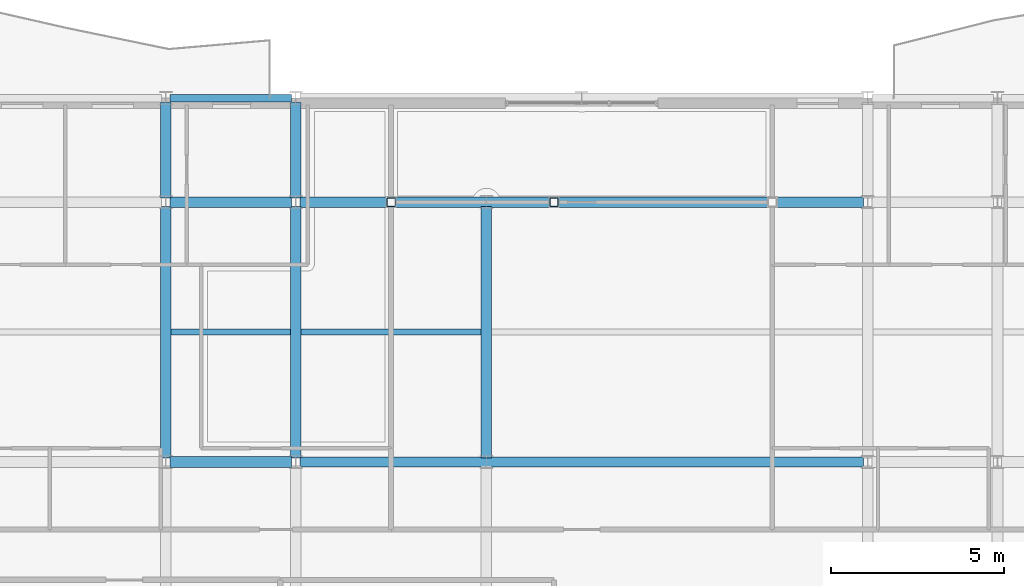
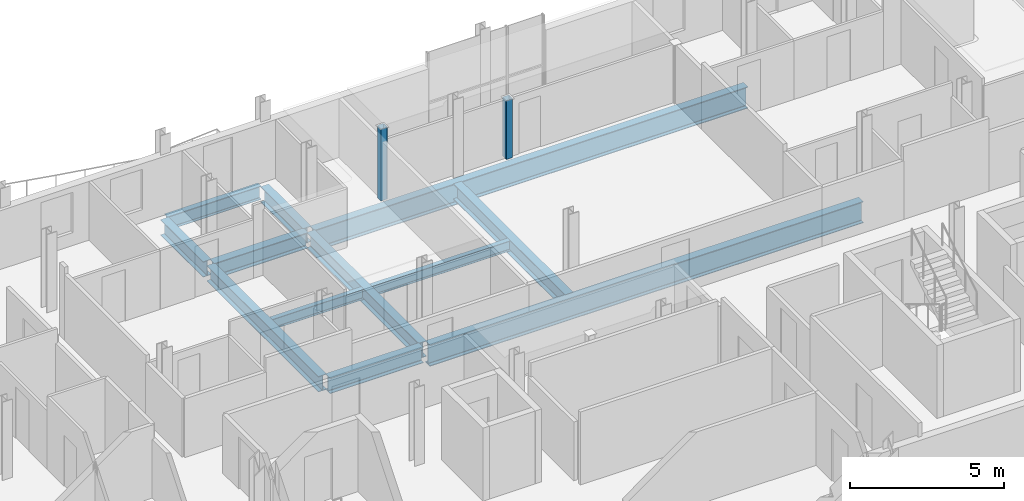
# One storey, part 9 of 35: 12 beams, 2 members.
"""IFC4 building model written with IfcOpenShell, lengths in metres."""

import ifcopenshell
import ifcopenshell.guid

model = None  # the IFC model being written
_history = None  # IfcOwnerHistory: only IFC2X3 demands one
_inside = {}  # id of a spatial element -> (the spatial element, [elements in it])
_under = {}  # id of a project, library or spatial element -> (it, [spatial elements below it])
_declared = {}  # id of a project -> (the project, [libraries it declares])
_typed = {}  # id of a type object -> (the type object, [elements of that type])
_made_of = {}  # id of a material, layer set ... -> (it, [elements and type objects made of it])


def new_model(schema):
    """Start an empty IFC model of exactly this schema.

    Asked for "IFC4X3", IfcOpenShell would pick the latest addendum, in which some entities
    have other attributes; the version numbers below select the first issue.
    IFC2X3 requires an IfcOwnerHistory on every rooted entity: one is made here for all.
    """
    global model, _history
    if schema == "IFC4X3":
        model = ifcopenshell.file(schema_version=(4, 3, 0, 0))
    else:
        model = ifcopenshell.file(schema=schema)
    _inside.clear()
    _under.clear()
    _declared.clear()
    _typed.clear()
    _made_of.clear()
    _history = None
    if model.schema == "IFC2X3":
        org = make("IfcOrganization", Name="unknown")
        user = make(
            "IfcPersonAndOrganization",
            ThePerson=make("IfcPerson", FamilyName="unknown"),
            TheOrganization=org,
        )
        app = make(
            "IfcApplication",
            ApplicationDeveloper=org,
            Version="unknown",
            ApplicationFullName="unknown",
            ApplicationIdentifier="unknown",
        )
        _history = make(
            "IfcOwnerHistory",
            OwningUser=user,
            OwningApplication=app,
            ChangeAction="ADDED",
            CreationDate=0,
        )
    return model


def make(cls, **values):
    """One entity of the class cls with the attributes given. An attribute that is None is left unset."""
    return model.create_entity(
        cls, **{name: value for name, value in values.items() if value is not None}
    )


def rooted(cls, **values):
    """An entity with a GlobalId (a new one), such as an element, a storey or a relation."""
    return make(cls, GlobalId=ifcopenshell.guid.new(), OwnerHistory=_history, **values)


def si_unit(unit_type, name, prefix=None):
    """IfcSIUnit, for example si_unit("LENGTHUNIT", "METRE", prefix="MILLI")."""
    return make("IfcSIUnit", UnitType=unit_type, Prefix=prefix, Name=name)


def assignment(units):
    """IfcUnitAssignment: the units of a project."""
    return None if units is None else make("IfcUnitAssignment", Units=units)


def point(xyz):
    """IfcCartesianPoint."""
    return None if xyz is None else make("IfcCartesianPoint", Coordinates=xyz)


def direction(xyz):
    """IfcDirection."""
    return None if xyz is None else make("IfcDirection", DirectionRatios=xyz)


def frame(location, z_axis=None, x_axis=None):
    """IfcAxis2Placement3D, a coordinate frame: its origin and axes. An axis left out is left unset."""
    return make(
        "IfcAxis2Placement3D",
        Location=point(location),
        Axis=direction(z_axis),
        RefDirection=direction(x_axis),
    )


def frame_2d(location, x_axis=None):
    """IfcAxis2Placement2D, a coordinate frame in the plane: its origin and x axis."""
    return make(
        "IfcAxis2Placement2D", Location=point(location), RefDirection=direction(x_axis)
    )


def origin():
    """The frame at (0, 0, 0) with its axes left unset."""
    return frame((0.0, 0.0, 0.0))


def origin_2d():
    """The frame at (0, 0) in the plane with its x axis left unset."""
    return frame_2d((0.0, 0.0))


def place(relative_to, where):
    """IfcLocalPlacement: puts the frame where relative to a parent placement (None: the world)."""
    return make(
        "IfcLocalPlacement", PlacementRelTo=relative_to, RelativePlacement=where
    )


def context(
    kind, dimensions, precision=None, world=None, true_north=None, identifier=None
):
    """IfcGeometricRepresentationContext, for example the 3D "Model" context."""
    return make(
        "IfcGeometricRepresentationContext",
        ContextIdentifier=identifier,
        ContextType=kind,
        CoordinateSpaceDimension=dimensions,
        Precision=precision,
        WorldCoordinateSystem=world,
        TrueNorth=true_north,
    )


def subcontext(parent, identifier, kind, view, scale=None):
    """IfcGeometricRepresentationSubContext, for example "Body" below "Model"."""
    return make(
        "IfcGeometricRepresentationSubContext",
        ContextIdentifier=identifier,
        ContextType=kind,
        ParentContext=parent,
        TargetScale=scale,
        TargetView=view,
    )


def project(units=None, contexts=None):
    """IfcProject with its units and contexts."""
    return rooted(
        "IfcProject",
        Name="project",
        RepresentationContexts=contexts,
        UnitsInContext=assignment(units),
    )


def spatial(cls, under=None, at=None, **own):
    """A site, building, storey or space (cls), placed at a placement, below another one or the project."""
    s = rooted(cls, ObjectPlacement=at, **own)
    if under is not None:
        _under.setdefault(under.id(), (under, []))[1].append(s)
    return s


def profile(cls, at=None, kind="AREA", **sizes):
    """A parametric profile (cls). Its sizes go by their IFC names, for example OverallWidth=200.0."""
    return make(cls, ProfileType=kind, Position=at, **sizes)


def hollow_rectangle(**sizes):
    """IfcRectangleHollowProfileDef."""
    return profile("IfcRectangleHollowProfileDef", **sizes)


def i_section(**sizes):
    """IfcIShapeProfileDef."""
    return profile("IfcIShapeProfileDef", **sizes)


def extrude(swept, where, along, depth):
    """IfcExtrudedAreaSolid: the profile swept, set in the frame where, extruded along a direction by depth."""
    return make(
        "IfcExtrudedAreaSolid",
        SweptArea=swept,
        Position=where,
        ExtrudedDirection=direction(along),
        Depth=depth,
    )


def shape(context_of_items, identifier, shape_type, items):
    """IfcShapeRepresentation: the items that make up one representation, for example the "Body"."""
    return make(
        "IfcShapeRepresentation",
        ContextOfItems=context_of_items,
        RepresentationIdentifier=identifier,
        RepresentationType=shape_type,
        Items=items,
    )


def material(Name=None, Category=None):
    """IfcMaterial."""
    return make("IfcMaterial", Name=Name, Category=Category)


def material_profile(
    of_material, cross_section, Name=None, Category=None, Priority=None
):
    """IfcMaterialProfile: a cross section and its material."""
    return make(
        "IfcMaterialProfile",
        Name=Name,
        Material=of_material,
        Profile=cross_section,
        Priority=Priority,
        Category=Category,
    )


def profile_set(profiles, Name=None, composite=None):
    """IfcMaterialProfileSet."""
    return make(
        "IfcMaterialProfileSet",
        Name=Name,
        MaterialProfiles=profiles,
        CompositeProfile=composite,
    )


def made_of(thing, what):
    """Note that an element or type object is made of a material, layer set ...; save() writes the relation."""
    if what is not None:
        _made_of.setdefault(what.id(), (what, []))[1].append(thing)
    return thing


def type_object(cls, material=None, **own):
    """A type object (cls), such as IfcWallType, which elements share."""
    return made_of(rooted(cls, **own), material)


def element(
    cls,
    number,
    at=None,
    inside=None,
    cuts=None,
    type_object=None,
    material=None,
    context=None,
    identifier="Body",
    shape_type=None,
    held_by="IfcProductDefinitionShape",
    body=None,
    shapes=None,
    **own,
):
    """One element of the class cls, such as IfcWall. Its Tag is "e" and its number.

    at: its placement. inside: the storey or other place that contains it. cuts: it is an
    opening in that element (IfcRelVoidsElement). A single representation is given by context,
    identifier, shape_type and body (its items); several are given by shapes. held_by: the class
    of the entity that holds the representations. save() writes the other relations.
    """
    e = rooted(cls, Tag="e%d" % number, ObjectPlacement=at, **own)
    if body is not None:
        shapes = [shape(context, identifier, shape_type, body)]
    if shapes is not None:
        e.Representation = make(held_by, Representations=shapes)
    if inside is not None:
        _inside.setdefault(inside.id(), (inside, []))[1].append(e)
    if cuts is not None:
        rooted(
            "IfcRelVoidsElement", RelatingBuildingElement=cuts, RelatedOpeningElement=e
        )
    if type_object is not None:
        _typed.setdefault(type_object.id(), (type_object, []))[1].append(e)
    return made_of(e, material)


def aggregate(whole, parts):
    """IfcRelAggregates: a whole, such as a stair, and the parts it consists of."""
    return rooted("IfcRelAggregates", RelatingObject=whole, RelatedObjects=parts)


def save(model, path):
    """Write the relations noted so far, then the file.

    IfcRelAggregates (storeys below a building ...), IfcRelContainedInSpatialStructure (elements
    in a storey), IfcRelDefinesByType, IfcRelAssociatesMaterial and IfcRelDeclares: one each for
    every whole, place, type object, material and project.
    """
    for whole, parts in _under.values():
        aggregate(whole, parts)
    for where, things in _inside.values():
        rooted(
            "IfcRelContainedInSpatialStructure",
            RelatedElements=things,
            RelatingStructure=where,
        )
    for kind, things in _typed.values():
        rooted("IfcRelDefinesByType", RelatedObjects=things, RelatingType=kind)
    for what, things in _made_of.values():
        rooted("IfcRelAssociatesMaterial", RelatedObjects=things, RelatingMaterial=what)
    for by, libraries in _declared.values():
        rooted("IfcRelDeclares", RelatingContext=by, RelatedDefinitions=libraries)
    model.write(path)


model = new_model("IFC4")

# Units and contexts
model_context = context("Model", 3, precision=1e-05, world=origin(), true_north=direction((0.0, 1.0)))
body_context = subcontext(model_context, "Body", "Model", "MODEL_VIEW")
ifc_project = project(units=[si_unit("LENGTHUNIT", "METRE"), si_unit("AREAUNIT", "SQUARE_METRE"), si_unit("VOLUMEUNIT", "CUBIC_METRE"), si_unit("PLANEANGLEUNIT", "RADIAN"), si_unit("MASSUNIT", "GRAM", prefix="KILO")], contexts=[model_context])

# Site, building, storey
site_placement = place(None, origin())
site = spatial("IfcSite", under=ifc_project, at=site_placement, CompositionType="ELEMENT")
building_placement = place(site_placement, origin())
building = spatial("IfcBuilding", under=site, at=building_placement, Name="Brevholm Reach", CompositionType="ELEMENT")
storey_placement = place(building_placement, frame((0.0, 0.0, 218.0)))
storey = spatial("IfcBuildingStorey", under=building, at=storey_placement, Name="L66", CompositionType="ELEMENT", Elevation=218.0)

# Beams
ifc_material_1 = material(Name="Structural Steel S355J2", Category="steel")
ifc_material_profile_1 = material_profile(ifc_material_1, i_section(OverallWidth=0.177978515625, OverallDepth=0.406494140625, WebThickness=0.0078125, FlangeThickness=0.0126953125, FilletRadius=0.01025390625, at=origin_2d()), Name="UKB 406x178x60")
ifc_profile_set_1 = profile_set([ifc_material_profile_1], Name="Structural Steel S355J2")
beam_type_1 = type_object("IfcBeamType", Name="BM-B406", PredefinedType="BEAM", material=ifc_profile_set_1)
beam_1_placement = place(storey_placement, frame((18.153564453125, 19.75, -0.47314453125), z_axis=(1.0, 0.0, 0.0), x_axis=(0.0, 1.0, 0.0)))
element("IfcBeam", 1, at=beam_1_placement, inside=storey, type_object=beam_type_1, Name="L66 Composite Secondary Floor Beam", PredefinedType="BEAM", context=body_context, shape_type="SweptSolid", body=[
    extrude(i_section(OverallWidth=0.177978515625, OverallDepth=0.406494140625, WebThickness=0.0078125, FlangeThickness=0.0126953125, FilletRadius=0.01025390625, at=origin_2d()), origin(), (0.0, 0.0, 1.0), 3.44287109375),
])
beam_2_placement = place(storey_placement, frame((21.903564453125, 19.75, -0.47314453125), z_axis=(1.0, 0.0, 0.0), x_axis=(0.0, 1.0, 0.0)))
element("IfcBeam", 2, at=beam_2_placement, inside=storey, type_object=beam_type_1, Name="L66 Composite Secondary Floor Beam", PredefinedType="BEAM", context=body_context, shape_type="SweptSolid", body=[
    extrude(i_section(OverallWidth=0.177978515625, OverallDepth=0.406494140625, WebThickness=0.0078125, FlangeThickness=0.0126953125, FilletRadius=0.01025390625, at=origin_2d()), origin(), (0.0, 0.0, 1.0), 5.19287109375),
])
ifc_material_2 = material(Name="Structural Steel S355J2", Category="steel")
ifc_material_profile_2 = material_profile(ifc_material_2, i_section(OverallWidth=0.210693359375, OverallDepth=0.53955078125, WebThickness=0.01171875, FlangeThickness=0.018798828125, FilletRadius=0.0126953125, at=origin_2d()), Name="UKB 533x210x109")
ifc_profile_set_2 = profile_set([ifc_material_profile_2], Name="Structural Steel S355J2")
beam_type_2 = type_object("IfcBeamType", Name="BM-SP539", PredefinedType="SPANDREL", material=ifc_profile_set_2)
beam_3_placement = place(storey_placement, frame((18.1201171875, 26.5, -0.539794921875), z_axis=(1.0, 0.0, 0.0), x_axis=(0.0, 1.0, 0.0)))
element("IfcBeam", 3, at=beam_3_placement, inside=storey, type_object=beam_type_2, Name="L66 SP-01B Framing Beam", PredefinedType="SPANDREL", context=body_context, shape_type="SweptSolid", body=[
    extrude(i_section(OverallWidth=0.210693359375, OverallDepth=0.53955078125, WebThickness=0.01171875, FlangeThickness=0.018798828125, FilletRadius=0.0126953125, at=origin_2d()), origin(), (0.0, 0.0, 1.0), 3.509765625),
])
ifc_material_3 = material(Name="Structural Steel S355J2", Category="steel")
ifc_material_profile_3 = material_profile(ifc_material_3, i_section(OverallWidth=0.30712890625, OverallDepth=0.6201171875, WebThickness=0.01416015625, FlangeThickness=0.023681640625, FilletRadius=0.0166015625, at=origin_2d()), Name="UKB 610x305x179")
ifc_profile_set_3 = profile_set([ifc_material_profile_3], Name="Structural Steel S355J2")
beam_type_3 = type_object("IfcBeamType", Name="BM-UKB610H", PredefinedType="USERDEFINED", material=ifc_profile_set_3)
for number, where, z_axis, x_axis, name in (
    (4, (18.1201171875, 16.0, -0.580078125), (1.0, 0.0, 0.0), (0.0, 1.0, 0.0), "L66 G-06 Framing Beam"),
    (5, (18.1201171875, 23.5, -0.580078125), (1.0, 0.0, 0.0), (0.0, 1.0, 0.0), "L66 G-06 Framing Beam"),
):
    element("IfcBeam", number, at=place(storey_placement, frame(where, z_axis=z_axis, x_axis=x_axis)), inside=storey, type_object=beam_type_3, Name=name, ObjectType="GIRDER", PredefinedType="USERDEFINED", context=body_context, shape_type="SweptSolid", body=[
        extrude(i_section(OverallWidth=0.30712890625, OverallDepth=0.6201171875, WebThickness=0.01416015625, FlangeThickness=0.023681640625, FilletRadius=0.0166015625, at=origin_2d()), origin(), (0.0, 0.0, 1.0), 3.509765625),
    ])
beam_4_placement = place(storey_placement, frame((18.0, 16.1201171875, -0.580078125), z_axis=(0.0, 1.0, 0.0), x_axis=(-1.0, 0.0, 0.0)))
element("IfcBeam", 6, at=beam_4_placement, inside=storey, type_object=beam_type_3, Name="L66 G-06 Framing Beam", ObjectType="GIRDER", PredefinedType="USERDEFINED", context=body_context, shape_type="SweptSolid", body=[
    extrude(i_section(OverallWidth=0.30712890625, OverallDepth=0.6201171875, WebThickness=0.01416015625, FlangeThickness=0.023681640625, FilletRadius=0.0166015625, at=origin_2d()), origin(), (0.0, 0.0, 1.0), 7.259765625),
])
beam_5_placement = place(storey_placement, frame((18.0, 23.6201171875, -0.580078125), z_axis=(0.0, 1.0, 0.0), x_axis=(-1.0, 0.0, 0.0)))
element("IfcBeam", 7, at=beam_5_placement, inside=storey, type_object=beam_type_3, Name="L66 G-06 Framing Beam", ObjectType="GIRDER", PredefinedType="USERDEFINED", context=body_context, shape_type="SweptSolid", body=[
    extrude(i_section(OverallWidth=0.30712890625, OverallDepth=0.6201171875, WebThickness=0.01416015625, FlangeThickness=0.023681640625, FilletRadius=0.0166015625, at=origin_2d()), origin(), (0.0, 0.0, 1.0), 2.759765625),
])
beam_6_placement = place(storey_placement, frame((21.75, 16.1201171875, -0.580078125), z_axis=(0.0, 1.0, 0.0), x_axis=(-1.0, 0.0, 0.0)))
element("IfcBeam", 8, at=beam_6_placement, inside=storey, type_object=beam_type_3, Name="L66 G-06 Framing Beam", ObjectType="GIRDER", PredefinedType="USERDEFINED", context=body_context, shape_type="SweptSolid", body=[
    extrude(i_section(OverallWidth=0.30712890625, OverallDepth=0.6201171875, WebThickness=0.01416015625, FlangeThickness=0.023681640625, FilletRadius=0.0166015625, at=origin_2d()), origin(), (0.0, 0.0, 1.0), 7.259765625),
])
beam_7_placement = place(storey_placement, frame((21.75, 23.6201171875, -0.580078125), z_axis=(0.0, 1.0, 0.0), x_axis=(-1.0, 0.0, 0.0)))
element("IfcBeam", 9, at=beam_7_placement, inside=storey, type_object=beam_type_3, Name="L66 G-06 Framing Beam", ObjectType="GIRDER", PredefinedType="USERDEFINED", context=body_context, shape_type="SweptSolid", body=[
    extrude(i_section(OverallWidth=0.30712890625, OverallDepth=0.6201171875, WebThickness=0.01416015625, FlangeThickness=0.023681640625, FilletRadius=0.0166015625, at=origin_2d()), origin(), (0.0, 0.0, 1.0), 2.759765625),
])
beam_8_placement = place(storey_placement, frame((27.25, 16.1201171875, -0.580078125), z_axis=(0.0, 1.0, 0.0), x_axis=(-1.0, 0.0, 0.0)))
element("IfcBeam", 10, at=beam_8_placement, inside=storey, type_object=beam_type_3, Name="L66 G-06 Framing Beam", ObjectType="GIRDER", PredefinedType="USERDEFINED", context=body_context, shape_type="SweptSolid", body=[
    extrude(i_section(OverallWidth=0.30712890625, OverallDepth=0.6201171875, WebThickness=0.01416015625, FlangeThickness=0.023681640625, FilletRadius=0.0166015625, at=origin_2d()), origin(), (0.0, 0.0, 1.0), 7.259765625),
])
ifc_material_4 = material(Name="Structural Steel S355J2", Category="steel")
ifc_material_profile_4 = material_profile(ifc_material_4, i_section(OverallWidth=0.293701171875, OverallDepth=0.850830078125, WebThickness=0.01611328125, FlangeThickness=0.02685546875, FilletRadius=0.017822265625, at=origin_2d()), Name="UKB 838x292x226")
ifc_profile_set_4 = profile_set([ifc_material_profile_4], Name="Structural Steel S355J2")
beam_type_4 = type_object("IfcBeamType", Name="BM-UKB838", PredefinedType="USERDEFINED", material=ifc_profile_set_4)
for number, where, z_axis, x_axis, name in (
    (11, (21.8701171875, 16.0, -0.695556640625), (1.0, 0.0, 0.0), (0.0, 1.0, 0.0), "L66 G-03 Framing Beam"),
    (12, (21.8701171875, 23.5, -0.695556640625), (1.0, 0.0, 0.0), (0.0, 1.0, 0.0), "L66 G-03 Framing Beam"),
):
    element("IfcBeam", number, at=place(storey_placement, frame(where, z_axis=z_axis, x_axis=x_axis)), inside=storey, type_object=beam_type_4, Name=name, ObjectType="GIRDER", PredefinedType="USERDEFINED", context=body_context, shape_type="SweptSolid", body=[
        extrude(i_section(OverallWidth=0.293701171875, OverallDepth=0.850830078125, WebThickness=0.01611328125, FlangeThickness=0.02685546875, FilletRadius=0.017822265625, at=origin_2d()), origin(), (0.0, 0.0, 1.0), 16.259765625),
    ])

# Members
ifc_material_5 = material(Name="Structural Steel S355J2H", Category="steel")
ifc_material_profile_5 = material_profile(ifc_material_5, hollow_rectangle(XDim=0.25, YDim=0.25, WallThickness=0.010009765625, InnerFilletRadius=0.010009765625, OuterFilletRadius=0.02001953125, at=origin_2d()), Name="SHS 250x250x10")
ifc_profile_set_5 = profile_set([ifc_material_profile_5], Name="Structural Steel S355J2H")
member_type = type_object("IfcMemberType", Name="MEM-ST-SHS250", PredefinedType="STRUT", material=ifc_profile_set_5)
member_1_placement = place(storey_placement, frame((24.5, 23.5, 0.0), z_axis=(0.0, 0.0, 1.0), x_axis=(1.0, 0.0, 0.0)))
element("IfcMember", 13, at=member_1_placement, inside=storey, type_object=member_type, Name="L66 Portal Vierendeel Post 1", PredefinedType="STRUT", context=body_context, shape_type="SweptSolid", body=[
    extrude(hollow_rectangle(XDim=0.25, YDim=0.25, WallThickness=0.010009765625, InnerFilletRadius=0.010009765625, OuterFilletRadius=0.02001953125, at=origin_2d()), origin(), (0.0, 0.0, 1.0), 2.85009765625),
])
member_2_placement = place(storey_placement, frame((29.199951171875, 23.5, 0.0), z_axis=(0.0, 0.0, 1.0), x_axis=(1.0, 0.0, 0.0)))
element("IfcMember", 14, at=member_2_placement, inside=storey, type_object=member_type, Name="L66 Portal Vierendeel Post 2", PredefinedType="STRUT", context=body_context, shape_type="SweptSolid", body=[
    extrude(hollow_rectangle(XDim=0.25, YDim=0.25, WallThickness=0.010009765625, InnerFilletRadius=0.010009765625, OuterFilletRadius=0.02001953125, at=origin_2d()), origin(), (0.0, 0.0, 1.0), 2.33544921875),
])

save(model, "model.ifc")
